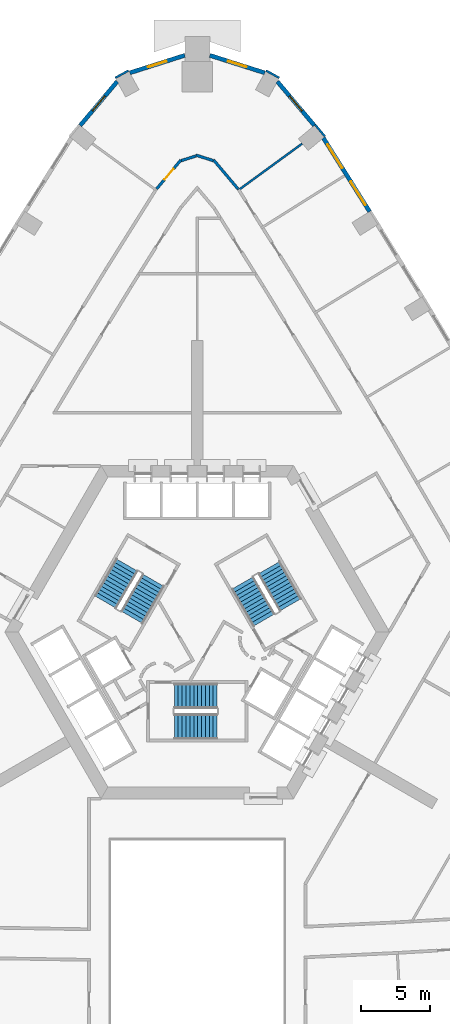
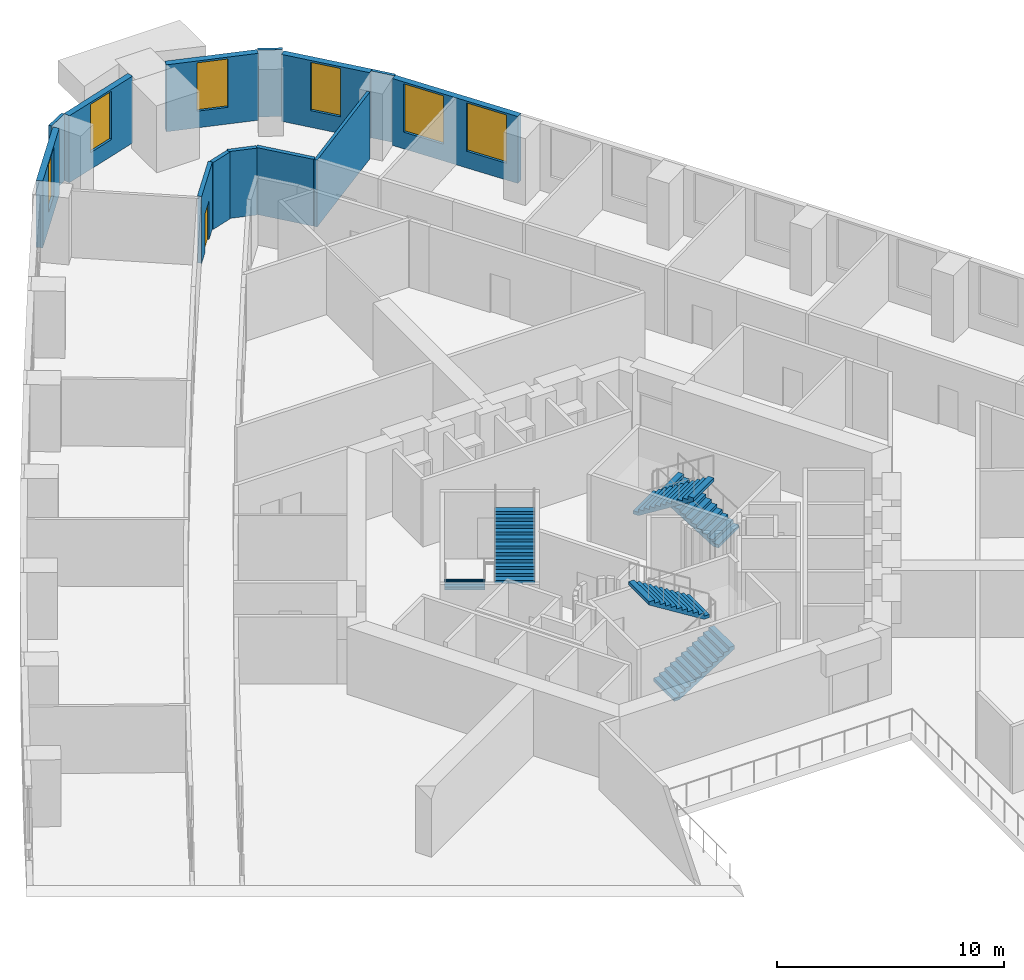
# One storey, part 12 of 15: 13 walls, 6 stair flights, 6 windows, 1 door, 7 openings, 3 elements without a shape of their own.
"""IFC4 building model written with IfcOpenShell, lengths in metres."""

from ifc_helpers import new_model, si_unit, direction, frame, frame_2d, origin, place, context, subcontext, project, spatial, polyline, rectangle, outline, extrude, material, layer, layer_set, type_object, element, fill, aggregate, save


model = new_model("IFC4")

# Units and contexts
model_context = context("Model", 3, precision=1e-05, world=origin(), true_north=direction((0.0, 1.0)))
body_context = subcontext(model_context, "Body", "Model", "MODEL_VIEW")
ifc_project = project(units=[si_unit("LENGTHUNIT", "METRE"), si_unit("AREAUNIT", "SQUARE_METRE"), si_unit("VOLUMEUNIT", "CUBIC_METRE"), si_unit("PLANEANGLEUNIT", "RADIAN"), si_unit("MASSUNIT", "GRAM", prefix="KILO")], contexts=[model_context])

# Site, building, storey
site_placement = place(None, origin())
site = spatial("IfcSite", under=ifc_project, at=site_placement, CompositionType="ELEMENT")
building_placement = place(site_placement, origin())
building = spatial("IfcBuilding", under=site, at=building_placement, Name="Entoto Arch Interchange Tower", CompositionType="ELEMENT")
storey_placement = place(building_placement, frame((0.0, 0.0, 128.60009765625)))
storey = spatial("IfcBuildingStorey", under=building, at=storey_placement, Name="L28", CompositionType="ELEMENT", Elevation=128.60009765625)

# Wall
ifc_material_1 = material(Name="Gypsum board partition on steel studs", Category="steel")
ifc_layer_1 = layer(ifc_material_1, 0.14990234375)
ifc_layer_set_1 = layer_set([ifc_layer_1], Name="Gypsum board partition on steel studs")
wall_type_1 = type_object("IfcWallType", Name="PARTITION 150", PredefinedType="PARTITIONING", material=ifc_layer_set_1)
wall_1_placement = place(storey_placement, frame((2.907958984375, 34.281005859375, 0.0), z_axis=(0.0, 0.0, 1.0), x_axis=(0.807935867, 0.589270425879, 0.0)))
element("IfcWall", 1, at=wall_1_placement, inside=storey, type_object=wall_type_1, Name="wall:L28:p144", PredefinedType="PARTITIONING", context=body_context, shape_type="SweptSolid", body=[
    extrude(rectangle(XDim=5.744384765625, YDim=0.14990234375, at=frame_2d((2.8720703125, 0.0))), origin(), (0.0, 0.0, 1.0), 3.599853515625),
])

# Wall, opening, door
ifc_layer_2 = layer(ifc_material_1, 0.199951171875)
ifc_layer_set_2 = layer_set([ifc_layer_2], Name="Gypsum board partition on steel studs")
wall_type_2 = type_object("IfcWallType", Name="PARTITION 200", PredefinedType="PARTITIONING", material=ifc_layer_set_2)
wall_2_placement = place(storey_placement, frame((-2.924072265625, 34.4169921875, 0.0), z_axis=(0.0, 0.0, 1.0), x_axis=(0.644113583568, 0.764929860486, 0.0)))
wall_2 = element("IfcWall", 2, at=wall_2_placement, inside=storey, type_object=wall_type_2, Name="wall:L28:p063", PredefinedType="PARTITIONING", context=body_context, shape_type="SweptSolid", body=[
    extrude(rectangle(XDim=2.7138671875, YDim=0.199951171875, at=frame_2d((1.35693359375, 0.0))), origin(), (0.0, 0.0, 1.0), 3.599853515625),
])
opening_1_placement = place(wall_2_placement, frame((0.85693359375, 0.0, 0.0)))
opening_1 = element("IfcOpeningElement", 3, at=opening_1_placement, cuts=wall_2, Name="Opening L28-D13", PredefinedType="OPENING", context=body_context, shape_type="SweptSolid", body=[
    extrude(rectangle(XDim=1.0, YDim=2.10009765625, at=frame_2d((0.5, 1.050048828125))), frame((0.0, 0.10986328125, 0.0), z_axis=(0.0, -1.0, 0.0), x_axis=(1.0, 0.0, 0.0)), (0.0, 0.0, 1.0), 0.219970703125),
])
ifc_material_2 = material(Name="Timber door leaf in Steel S235 frame", Category="steel")
door_type = type_object("IfcDoorType", Name="DOOR DS-10 1000x2100", OperationType="SINGLE_SWING_LEFT", PredefinedType="DOOR", material=ifc_material_2)
door_placement = place(opening_1_placement, origin())
door = element("IfcDoor", 4, at=door_placement, inside=storey, type_object=door_type, Name="door:L28:13", OperationType="SINGLE_SWING_LEFT", OverallHeight=2.10009765625, OverallWidth=1.0, PredefinedType="DOOR", context=body_context, shape_type="SweptSolid", body=[
    extrude(rectangle(XDim=1.0, YDim=2.10009765625, at=frame_2d((0.5, 1.050048828125))), frame((0.0, 0.02490234375, 0.0), z_axis=(0.0, -1.0, 0.0), x_axis=(1.0, 0.0, 0.0)), (0.0, 0.0, 1.0), 0.050048828125),
])
fill(opening_1, door)

# Walls
wall_3_placement = place(storey_placement, frame((-1.14501953125, 36.447021484375, 0.0), z_axis=(0.0, 0.0, 1.0), x_axis=(0.952957783381, 0.303103056886, 0.0)))
element("IfcWall", 5, at=wall_3_placement, inside=storey, type_object=wall_type_2, Name="wall:L28:p064", PredefinedType="PARTITIONING", context=body_context, shape_type="SweptSolid", body=[
    extrude(rectangle(XDim=1.101806640625, YDim=0.199951171875, at=frame_2d((0.55078125, 0.0))), origin(), (0.0, 0.0, 1.0), 3.599853515625),
])
wall_4_placement = place(storey_placement, frame((-0.094970703125, 36.841064453125, 0.0), z_axis=(0.0, 0.0, 1.0), x_axis=(0.953036611979, -0.302855107646, 0.0)))
element("IfcWall", 6, at=wall_4_placement, inside=storey, type_object=wall_type_2, Name="wall:L28:p065", PredefinedType="PARTITIONING", context=body_context, shape_type="SweptSolid", body=[
    extrude(rectangle(XDim=1.301025390625, YDim=0.199951171875, at=frame_2d((0.650390625, 0.0))), origin(), (0.0, 0.0, 1.0), 3.599853515625),
])
wall_5_placement = place(storey_placement, frame((1.176025390625, 36.492919921875, 0.0), z_axis=(0.0, 0.0, 1.0), x_axis=(0.644113583568, -0.764929860486, 0.0)))
element("IfcWall", 7, at=wall_5_placement, inside=storey, type_object=wall_type_2, Name="wall:L28:p066", PredefinedType="PARTITIONING", context=body_context, shape_type="SweptSolid", body=[
    extrude(rectangle(XDim=2.7138671875, YDim=0.199951171875, at=frame_2d((1.35693359375, 0.0))), origin(), (0.0, 0.0, 1.0), 3.599853515625),
])

# Wall, openings, windows
ifc_material_3 = material(Name="Welded tuff (ignimbrite) cladding, warm buff", Category="masonry")
ifc_layer_3 = layer(ifc_material_3, 0.300048828125)
ifc_layer_set_3 = layer_set([ifc_layer_3], Name="Welded tuff (ignimbrite) cladding, warm buff")
wall_type_3 = type_object("IfcWallType", Name="STONE INFILL WALL 300", PredefinedType="STANDARD", material=ifc_layer_set_3)
wall_6_placement = place(storey_placement, frame((12.409912109375, 32.779052734375, 0.0), z_axis=(0.0, 0.0, 1.0), x_axis=(-0.53160564075, 0.846991996847, 0.0)))
wall_6 = element("IfcWall", 8, at=wall_6_placement, inside=storey, type_object=wall_type_3, Name="Facade wall NE-08 L28", PredefinedType="STANDARD", context=body_context, shape_type="SweptSolid", body=[
    extrude(rectangle(XDim=6.265625, YDim=0.300048828125, at=frame_2d((3.1328125, 0.0))), origin(), (0.0, 0.0, 1.0), 3.599853515625),
])
opening_2_placement = place(wall_6_placement, frame((0.56591796875, 0.0, 0.89990234375)))
opening_2 = element("IfcOpeningElement", 9, at=opening_2_placement, cuts=wall_6, Name="Opening WO-C", PredefinedType="OPENING", context=body_context, shape_type="SweptSolid", body=[
    extrude(rectangle(XDim=2.0, YDim=2.60009765625, at=frame_2d((1.0, 1.300048828125))), frame((0.0, 0.16015625, 0.0), z_axis=(0.0, -1.0, 0.0), x_axis=(1.0, 0.0, 0.0)), (0.0, 0.0, 1.0), 0.320068359375),
])
opening_3_placement = place(wall_6_placement, frame((3.698974609375, 0.0, 0.89990234375)))
opening_3 = element("IfcOpeningElement", 10, at=opening_3_placement, cuts=wall_6, Name="Opening WO-C", PredefinedType="OPENING", context=body_context, shape_type="SweptSolid", body=[
    extrude(rectangle(XDim=2.0, YDim=2.60009765625, at=frame_2d((1.0, 1.300048828125))), frame((0.0, 0.16015625, 0.0), z_axis=(0.0, -1.0, 0.0), x_axis=(1.0, 0.0, 0.0)), (0.0, 0.0, 1.0), 0.320068359375),
])
ifc_material_4 = material(Name="Clear glass, low-e double glazed", Category="glass")
window_type_1 = type_object("IfcWindowType", Name="WINDOW WO-C 2000x2600", PartitioningType="DOUBLE_PANEL_VERTICAL", PredefinedType="WINDOW", material=ifc_material_4)
window_1_placement = place(opening_2_placement, origin())
window_1 = element("IfcWindow", 11, at=window_1_placement, inside=storey, type_object=window_type_1, Name="Window WO-C NE-08 L28", OverallHeight=2.60009765625, OverallWidth=2.0, PartitioningType="SINGLE_PANEL", PredefinedType="WINDOW", context=body_context, shape_type="SweptSolid", body=[
    extrude(rectangle(XDim=2.0, YDim=2.60009765625, at=frame_2d((1.0, 1.300048828125))), frame((0.0, 0.030029296875, 0.0), z_axis=(0.0, -1.0, 0.0), x_axis=(1.0, 0.0, 0.0)), (0.0, 0.0, 1.0), 0.06005859375),
])
fill(opening_2, window_1)
window_2_placement = place(opening_3_placement, origin())
window_2 = element("IfcWindow", 12, at=window_2_placement, inside=storey, type_object=window_type_1, Name="Window WO-C NE-08 L28", OverallHeight=2.60009765625, OverallWidth=2.0, PartitioningType="SINGLE_PANEL", PredefinedType="WINDOW", context=body_context, shape_type="SweptSolid", body=[
    extrude(rectangle(XDim=2.0, YDim=2.60009765625, at=frame_2d((1.0, 1.300048828125))), frame((0.0, 0.030029296875, 0.0), z_axis=(0.0, -1.0, 0.0), x_axis=(1.0, 0.0, 0.0)), (0.0, 0.0, 1.0), 0.06005859375),
])
fill(opening_3, window_2)

# Wall, opening, window
wall_7_placement = place(storey_placement, frame((8.431884765625, 38.97607421875, 0.0), z_axis=(0.0, 0.0, 1.0), x_axis=(-0.643948600943, 0.765068754652, 0.0)))
wall_7 = element("IfcWall", 13, at=wall_7_placement, inside=storey, type_object=wall_type_3, Name="Facade wall N-01 L28", PredefinedType="STANDARD", context=body_context, shape_type="SweptSolid", body=[
    extrude(rectangle(XDim=4.13818359375, YDim=0.300048828125, at=frame_2d((2.069091796875, 0.0))), origin(), (0.0, 0.0, 1.0), 3.599853515625),
])
opening_4_placement = place(wall_7_placement, frame((1.368896484375, 0.0, 0.89990234375)))
opening_4 = element("IfcOpeningElement", 14, at=opening_4_placement, cuts=wall_7, Name="Opening WO-B", PredefinedType="OPENING", context=body_context, shape_type="SweptSolid", body=[
    extrude(rectangle(XDim=1.39990234375, YDim=2.60009765625, at=frame_2d((0.699951171875, 1.300048828125))), frame((0.0, 0.16015625, 0.0), z_axis=(0.0, -1.0, 0.0), x_axis=(1.0, 0.0, 0.0)), (0.0, 0.0, 1.0), 0.320068359375),
])
window_type_2 = type_object("IfcWindowType", Name="WINDOW WO-B 1400x2600", PartitioningType="DOUBLE_PANEL_VERTICAL", PredefinedType="WINDOW", material=ifc_material_4)
window_3_placement = place(opening_4_placement, origin())
window_3 = element("IfcWindow", 15, at=window_3_placement, inside=storey, type_object=window_type_2, Name="Window WO-B N-01 L28", OverallHeight=2.60009765625, OverallWidth=1.39990234375, PartitioningType="SINGLE_PANEL", PredefinedType="WINDOW", context=body_context, shape_type="SweptSolid", body=[
    extrude(rectangle(XDim=1.39990234375, YDim=2.60009765625, at=frame_2d((0.699951171875, 1.300048828125))), frame((0.0, 0.030029296875, 0.0), z_axis=(0.0, -1.0, 0.0), x_axis=(1.0, 0.0, 0.0)), (0.0, 0.0, 1.0), 0.06005859375),
])
fill(opening_4, window_3)

wall_8_placement = place(storey_placement, frame((4.85888671875, 42.76904296875, 0.0), z_axis=(0.0, 0.0, 1.0), x_axis=(-0.952992117398, 0.30299508936, 0.0)))
wall_8 = element("IfcWall", 16, at=wall_8_placement, inside=storey, type_object=wall_type_3, Name="Facade wall N-02 L28", PredefinedType="STANDARD", context=body_context, shape_type="SweptSolid", body=[
    extrude(rectangle(XDim=4.1552734375, YDim=0.300048828125, at=frame_2d((2.07763671875, 0.0))), origin(), (0.0, 0.0, 1.0), 3.599853515625),
])
opening_5_placement = place(wall_8_placement, frame((1.3779296875, 0.0, 0.89990234375)))
opening_5 = element("IfcOpeningElement", 17, at=opening_5_placement, cuts=wall_8, Name="Opening WO-B", PredefinedType="OPENING", context=body_context, shape_type="SweptSolid", body=[
    extrude(rectangle(XDim=1.39990234375, YDim=2.60009765625, at=frame_2d((0.699951171875, 1.300048828125))), frame((0.0, 0.16015625, 0.0), z_axis=(0.0, -1.0, 0.0), x_axis=(1.0, 0.0, 0.0)), (0.0, 0.0, 1.0), 0.320068359375),
])
window_4_placement = place(opening_5_placement, origin())
window_4 = element("IfcWindow", 18, at=window_4_placement, inside=storey, type_object=window_type_2, Name="Window WO-B N-02 L28", OverallHeight=2.60009765625, OverallWidth=1.39990234375, PartitioningType="SINGLE_PANEL", PredefinedType="WINDOW", context=body_context, shape_type="SweptSolid", body=[
    extrude(rectangle(XDim=1.39990234375, YDim=2.60009765625, at=frame_2d((0.699951171875, 1.300048828125))), frame((0.0, 0.030029296875, 0.0), z_axis=(0.0, -1.0, 0.0), x_axis=(1.0, 0.0, 0.0)), (0.0, 0.0, 1.0), 0.06005859375),
])
fill(opening_5, window_4)

wall_9_placement = place(storey_placement, frame((-0.89892578125, 44.028076171875, 0.0), z_axis=(0.0, 0.0, 1.0), x_axis=(-0.952992117398, -0.30299508936, 0.0)))
wall_9 = element("IfcWall", 19, at=wall_9_placement, inside=storey, type_object=wall_type_3, Name="Facade wall N-03 L28", PredefinedType="STANDARD", context=body_context, shape_type="SweptSolid", body=[
    extrude(rectangle(XDim=4.1552734375, YDim=0.300048828125, at=frame_2d((2.07763671875, 0.0))), origin(), (0.0, 0.0, 1.0), 3.599853515625),
])
opening_6_placement = place(wall_9_placement, frame((1.3779296875, 0.0, 0.89990234375)))
opening_6 = element("IfcOpeningElement", 20, at=opening_6_placement, cuts=wall_9, Name="Opening WO-B", PredefinedType="OPENING", context=body_context, shape_type="SweptSolid", body=[
    extrude(rectangle(XDim=1.39990234375, YDim=2.60009765625, at=frame_2d((0.699951171875, 1.300048828125))), frame((0.0, 0.16015625, 0.0), z_axis=(0.0, -1.0, 0.0), x_axis=(1.0, 0.0, 0.0)), (0.0, 0.0, 1.0), 0.320068359375),
])
window_5_placement = place(opening_6_placement, origin())
window_5 = element("IfcWindow", 21, at=window_5_placement, inside=storey, type_object=window_type_2, Name="Window WO-B N-03 L28", OverallHeight=2.60009765625, OverallWidth=1.39990234375, PartitioningType="SINGLE_PANEL", PredefinedType="WINDOW", context=body_context, shape_type="SweptSolid", body=[
    extrude(rectangle(XDim=1.39990234375, YDim=2.60009765625, at=frame_2d((0.699951171875, 1.300048828125))), frame((0.0, 0.030029296875, 0.0), z_axis=(0.0, -1.0, 0.0), x_axis=(1.0, 0.0, 0.0)), (0.0, 0.0, 1.0), 0.06005859375),
])
fill(opening_6, window_5)

wall_10_placement = place(storey_placement, frame((-5.76708984375, 42.14208984375, 0.0), z_axis=(0.0, 0.0, 1.0), x_axis=(-0.643948600943, -0.765068754652, 0.0)))
wall_10 = element("IfcWall", 22, at=wall_10_placement, inside=storey, type_object=wall_type_3, Name="Facade wall N-04 L28", PredefinedType="STANDARD", context=body_context, shape_type="SweptSolid", body=[
    extrude(rectangle(XDim=4.13818359375, YDim=0.300048828125, at=frame_2d((2.069091796875, 0.0))), origin(), (0.0, 0.0, 1.0), 3.599853515625),
])
opening_7_placement = place(wall_10_placement, frame((1.368896484375, 0.0, 0.89990234375)))
opening_7 = element("IfcOpeningElement", 23, at=opening_7_placement, cuts=wall_10, Name="Opening WO-B", PredefinedType="OPENING", context=body_context, shape_type="SweptSolid", body=[
    extrude(rectangle(XDim=1.39990234375, YDim=2.60009765625, at=frame_2d((0.699951171875, 1.300048828125))), frame((0.0, 0.16015625, 0.0), z_axis=(0.0, -1.0, 0.0), x_axis=(1.0, 0.0, 0.0)), (0.0, 0.0, 1.0), 0.320068359375),
])
window_6_placement = place(opening_7_placement, origin())
window_6 = element("IfcWindow", 24, at=window_6_placement, inside=storey, type_object=window_type_2, Name="Window WO-B N-04 L28", OverallHeight=2.60009765625, OverallWidth=1.39990234375, PartitioningType="SINGLE_PANEL", PredefinedType="WINDOW", context=body_context, shape_type="SweptSolid", body=[
    extrude(rectangle(XDim=1.39990234375, YDim=2.60009765625, at=frame_2d((0.699951171875, 1.300048828125))), frame((0.0, 0.030029296875, 0.0), z_axis=(0.0, -1.0, 0.0), x_axis=(1.0, 0.0, 0.0)), (0.0, 0.0, 1.0), 0.06005859375),
])
fill(opening_7, window_6)

# Walls
ifc_layer_4 = layer(ifc_material_3, 0.14990234375)
ifc_layer_set_4 = layer_set([ifc_layer_4], Name="Welded tuff (ignimbrite) cladding, warm buff")
wall_type_4 = type_object("IfcWallType", Name="STONE PIER CLADDING 150", PredefinedType="STANDARD", material=ifc_layer_set_4)
for number, where, z_axis, x_axis, name in (
    (25, (5.912109375, 42.404052734375, 0.0), (0.0, 0.0, 1.0), (-0.877556336627, 0.479473540507, 0.0), "Stone pier N1 L28"),
    (26, (-4.946044921875, 42.931884765625, 0.0), (0.0, 0.0, 1.0), (-0.877556336627, -0.479473540507, 0.0), "Stone pier N3 L28"),
):
    element("IfcWall", number, at=place(storey_placement, frame(where, z_axis=z_axis, x_axis=x_axis)), inside=storey, type_object=wall_type_4, Name=name, PredefinedType="STANDARD", context=body_context, shape_type="SweptSolid", body=[
        extrude(rectangle(XDim=1.100830078125, YDim=0.14990234375, at=frame_2d((0.55029296875, 0.0))), origin(), (0.0, 0.0, 1.0), 3.599853515625),
    ])
wall_11_placement = place(storey_placement, frame((9.194091796875, 38.180908203125, 0.0), z_axis=(0.0, 0.0, 1.0), x_axis=(-0.638566874111, 0.769566337159, 0.0)))
element("IfcWall", 27, at=wall_11_placement, inside=storey, type_object=wall_type_4, Name="Stone pier NE09 L28", PredefinedType="STANDARD", context=body_context, shape_type="SweptSolid", body=[
    extrude(rectangle(XDim=1.099609375, YDim=0.14990234375, at=frame_2d((0.5498046875, 0.0))), origin(), (0.0, 0.0, 1.0), 3.599853515625),
])

# Stair, stair flights
ifc_material_5 = material(Name="Concrete C40/50", Category="concrete")
stair_type = type_object("IfcStairType", Name="EXIT STAIR RC 1800", PredefinedType="HALF_TURN_STAIR", material=ifc_material_5)
stair_1_placement = place(storey_placement, origin())
stair_1 = element("IfcStair", 28, at=stair_1_placement, inside=storey, type_object=stair_type, Name="L28 Exit stair S", PredefinedType="HALF_TURN_STAIR")
stair_flight_type = type_object("IfcStairFlightType", Name="EXIT STAIR FLIGHT RC 1800", PredefinedType="STRAIGHT", material=ifc_material_5)
stair_flight_1_placement = place(storey_placement, frame((-1.64990234375, -4.300048828125, 0.0), z_axis=(0.0, 0.0, 1.0), x_axis=(1.0, 0.0, 0.0)))
stair_flight_1 = element("IfcStairFlight", 29, at=stair_flight_1_placement, type_object=stair_flight_type, Name="ST-S flight 1", NumberOfRisers=12, NumberOfTreads=11, PredefinedType="STRAIGHT", RiserHeight=0.175, TreadLength=0.28, context=body_context, shape_type="SweptSolid", body=[
    extrude(outline(polyline([(-0.0029296875, 0.0), (-0.0029296875, 0.175048828125), (0.280029296875, 0.175048828125), (0.280029296875, 0.35009765625), (0.56005859375, 0.35009765625), (0.56005859375, 0.52490234375), (0.840087890625, 0.52490234375), (0.840087890625, 0.699951171875), (1.1201171875, 0.699951171875), (1.1201171875, 0.875), (1.39990234375, 0.875), (1.39990234375, 1.050048828125), (1.679931640625, 1.050048828125), (1.679931640625, 1.22509765625), (1.9599609375, 1.22509765625), (1.9599609375, 1.39990234375), (2.239990234375, 1.39990234375), (2.239990234375, 1.574951171875), (2.52001953125, 1.574951171875), (2.52001953125, 1.75), (2.800048828125, 1.75), (2.800048828125, 1.925048828125), (3.080078125, 1.925048828125), (3.0830078125, 1.925048828125), (3.0830078125, 1.75), (0.28271484375, 0.0), (-0.0029296875, 0.0)])), frame((0.0, 0.89990234375, 0.0), z_axis=(0.0, -1.0, 0.0), x_axis=(1.0, 0.0, 0.0)), (0.0, 0.0, 1.0), 1.800048828125),
])
stair_flight_2_placement = place(storey_placement, frame((1.429931640625, -2.10009765625, 2.099853515625), z_axis=(0.0, 0.0, 1.0), x_axis=(-1.0, 0.0, 0.0)))
stair_flight_2 = element("IfcStairFlight", 30, at=stair_flight_2_placement, type_object=stair_flight_type, Name="ST-S flight 2", NumberOfRisers=12, NumberOfTreads=11, PredefinedType="STRAIGHT", RiserHeight=0.175, TreadLength=0.28, context=body_context, shape_type="SweptSolid", body=[
    extrude(outline(polyline([(-0.0029296875, 0.0), (-0.0029296875, 0.175048828125), (0.280029296875, 0.175048828125), (0.280029296875, 0.35009765625), (0.56005859375, 0.35009765625), (0.56005859375, 0.52490234375), (0.840087890625, 0.52490234375), (0.840087890625, 0.699951171875), (1.1201171875, 0.699951171875), (1.1201171875, 0.875), (1.39990234375, 0.875), (1.39990234375, 1.050048828125), (1.679931640625, 1.050048828125), (1.679931640625, 1.22509765625), (1.9599609375, 1.22509765625), (1.9599609375, 1.39990234375), (2.239990234375, 1.39990234375), (2.239990234375, 1.574951171875), (2.52001953125, 1.574951171875), (2.52001953125, 1.75), (2.800048828125, 1.75), (2.800048828125, 1.925048828125), (3.080078125, 1.925048828125), (3.0830078125, 1.925048828125), (3.0830078125, 1.75), (0.28271484375, 0.0), (-0.0029296875, 0.0)])), frame((0.0, 0.89990234375, 0.0), z_axis=(0.0, -1.0, 0.0), x_axis=(1.0, 0.0, 0.0)), (0.0, 0.0, 1.0), 1.800048828125),
])
aggregate(stair_1, [stair_flight_1, stair_flight_2])

stair_2_placement = place(storey_placement, origin())
stair_2 = element("IfcStair", 31, at=stair_2_placement, inside=storey, type_object=stair_type, Name="L28 Exit stair NE", PredefinedType="HALF_TURN_STAIR")
stair_flight_3_placement = place(storey_placement, frame((6.7138671875, 4.470947265625, 0.0), z_axis=(0.0, 0.0, 1.0), x_axis=(-0.5, 0.866025403784, 0.0)))
stair_flight_3 = element("IfcStairFlight", 32, at=stair_flight_3_placement, type_object=stair_flight_type, Name="ST-NE flight 1", NumberOfRisers=12, NumberOfTreads=11, PredefinedType="STRAIGHT", RiserHeight=0.175, TreadLength=0.28, context=body_context, shape_type="SweptSolid", body=[
    extrude(outline(polyline([(-0.0029296875, 0.0), (-0.0029296875, 0.175048828125), (0.280029296875, 0.175048828125), (0.280029296875, 0.35009765625), (0.56005859375, 0.35009765625), (0.56005859375, 0.52490234375), (0.840087890625, 0.52490234375), (0.840087890625, 0.699951171875), (1.1201171875, 0.699951171875), (1.1201171875, 0.875), (1.39990234375, 0.875), (1.39990234375, 1.050048828125), (1.679931640625, 1.050048828125), (1.679931640625, 1.22509765625), (1.9599609375, 1.22509765625), (1.9599609375, 1.39990234375), (2.239990234375, 1.39990234375), (2.239990234375, 1.574951171875), (2.52001953125, 1.574951171875), (2.52001953125, 1.75), (2.800048828125, 1.75), (2.800048828125, 1.925048828125), (3.080078125, 1.925048828125), (3.0830078125, 1.925048828125), (3.0830078125, 1.75), (0.28271484375, 0.0), (-0.0029296875, 0.0)])), frame((0.0, 0.89990234375, 0.0), z_axis=(0.0, -1.0, 0.0), x_axis=(1.0, 0.0, 0.0)), (0.0, 0.0, 1.0), 1.800048828125),
])
stair_flight_4_placement = place(storey_placement, frame((3.268798828125, 6.038330078125, 2.099853515625), z_axis=(0.0, 0.0, 1.0), x_axis=(0.5, -0.866025403784, 0.0)))
stair_flight_4 = element("IfcStairFlight", 33, at=stair_flight_4_placement, type_object=stair_flight_type, Name="ST-NE flight 2", NumberOfRisers=12, NumberOfTreads=11, PredefinedType="STRAIGHT", RiserHeight=0.175, TreadLength=0.28, context=body_context, shape_type="SweptSolid", body=[
    extrude(outline(polyline([(-0.0029296875, 0.0), (-0.0029296875, 0.175048828125), (0.280029296875, 0.175048828125), (0.280029296875, 0.35009765625), (0.56005859375, 0.35009765625), (0.56005859375, 0.52490234375), (0.840087890625, 0.52490234375), (0.840087890625, 0.699951171875), (1.1201171875, 0.699951171875), (1.1201171875, 0.875), (1.39990234375, 0.875), (1.39990234375, 1.050048828125), (1.679931640625, 1.050048828125), (1.679931640625, 1.22509765625), (1.9599609375, 1.22509765625), (1.9599609375, 1.39990234375), (2.239990234375, 1.39990234375), (2.239990234375, 1.574951171875), (2.52001953125, 1.574951171875), (2.52001953125, 1.75), (2.800048828125, 1.75), (2.800048828125, 1.925048828125), (3.080078125, 1.925048828125), (3.0830078125, 1.925048828125), (3.0830078125, 1.75), (0.28271484375, 0.0), (-0.0029296875, 0.0)])), frame((0.0, 0.89990234375, 0.0), z_axis=(0.0, -1.0, 0.0), x_axis=(1.0, 0.0, 0.0)), (0.0, 0.0, 1.0), 1.800048828125),
])
aggregate(stair_2, [stair_flight_3, stair_flight_4])

stair_3_placement = place(storey_placement, origin())
stair_3 = element("IfcStair", 34, at=stair_3_placement, inside=storey, type_object=stair_type, Name="L28 Exit stair NW", PredefinedType="HALF_TURN_STAIR")
stair_flight_5_placement = place(storey_placement, frame((-5.06396484375, 7.328857421875, 0.0), z_axis=(0.0, 0.0, 1.0), x_axis=(-0.5, -0.866025403784, 0.0)))
stair_flight_5 = element("IfcStairFlight", 35, at=stair_flight_5_placement, type_object=stair_flight_type, Name="ST-NW flight 1", NumberOfRisers=12, NumberOfTreads=11, PredefinedType="STRAIGHT", RiserHeight=0.175, TreadLength=0.28, context=body_context, shape_type="SweptSolid", body=[
    extrude(outline(polyline([(-0.0029296875, 0.0), (-0.0029296875, 0.175048828125), (0.280029296875, 0.175048828125), (0.280029296875, 0.35009765625), (0.56005859375, 0.35009765625), (0.56005859375, 0.52490234375), (0.840087890625, 0.52490234375), (0.840087890625, 0.699951171875), (1.1201171875, 0.699951171875), (1.1201171875, 0.875), (1.39990234375, 0.875), (1.39990234375, 1.050048828125), (1.679931640625, 1.050048828125), (1.679931640625, 1.22509765625), (1.9599609375, 1.22509765625), (1.9599609375, 1.39990234375), (2.239990234375, 1.39990234375), (2.239990234375, 1.574951171875), (2.52001953125, 1.574951171875), (2.52001953125, 1.75), (2.800048828125, 1.75), (2.800048828125, 1.925048828125), (3.080078125, 1.925048828125), (3.0830078125, 1.925048828125), (3.0830078125, 1.75), (0.28271484375, 0.0), (-0.0029296875, 0.0)])), frame((0.0, 0.89990234375, 0.0), z_axis=(0.0, -1.0, 0.0), x_axis=(1.0, 0.0, 0.0)), (0.0, 0.0, 1.0), 1.800048828125),
])
stair_flight_6_placement = place(storey_placement, frame((-4.69873046875, 3.5615234375, 2.099853515625), z_axis=(0.0, 0.0, 1.0), x_axis=(0.5, 0.866025403784, 0.0)))
stair_flight_6 = element("IfcStairFlight", 36, at=stair_flight_6_placement, type_object=stair_flight_type, Name="ST-NW flight 2", NumberOfRisers=12, NumberOfTreads=11, PredefinedType="STRAIGHT", RiserHeight=0.175, TreadLength=0.28, context=body_context, shape_type="SweptSolid", body=[
    extrude(outline(polyline([(-0.0029296875, 0.0), (-0.0029296875, 0.175048828125), (0.280029296875, 0.175048828125), (0.280029296875, 0.35009765625), (0.56005859375, 0.35009765625), (0.56005859375, 0.52490234375), (0.840087890625, 0.52490234375), (0.840087890625, 0.699951171875), (1.1201171875, 0.699951171875), (1.1201171875, 0.875), (1.39990234375, 0.875), (1.39990234375, 1.050048828125), (1.679931640625, 1.050048828125), (1.679931640625, 1.22509765625), (1.9599609375, 1.22509765625), (1.9599609375, 1.39990234375), (2.239990234375, 1.39990234375), (2.239990234375, 1.574951171875), (2.52001953125, 1.574951171875), (2.52001953125, 1.75), (2.800048828125, 1.75), (2.800048828125, 1.925048828125), (3.080078125, 1.925048828125), (3.0830078125, 1.925048828125), (3.0830078125, 1.75), (0.28271484375, 0.0), (-0.0029296875, 0.0)])), frame((0.0, 0.89990234375, 0.0), z_axis=(0.0, -1.0, 0.0), x_axis=(1.0, 0.0, 0.0)), (0.0, 0.0, 1.0), 1.800048828125),
])
aggregate(stair_3, [stair_flight_5, stair_flight_6])

save(model, "model.ifc")
